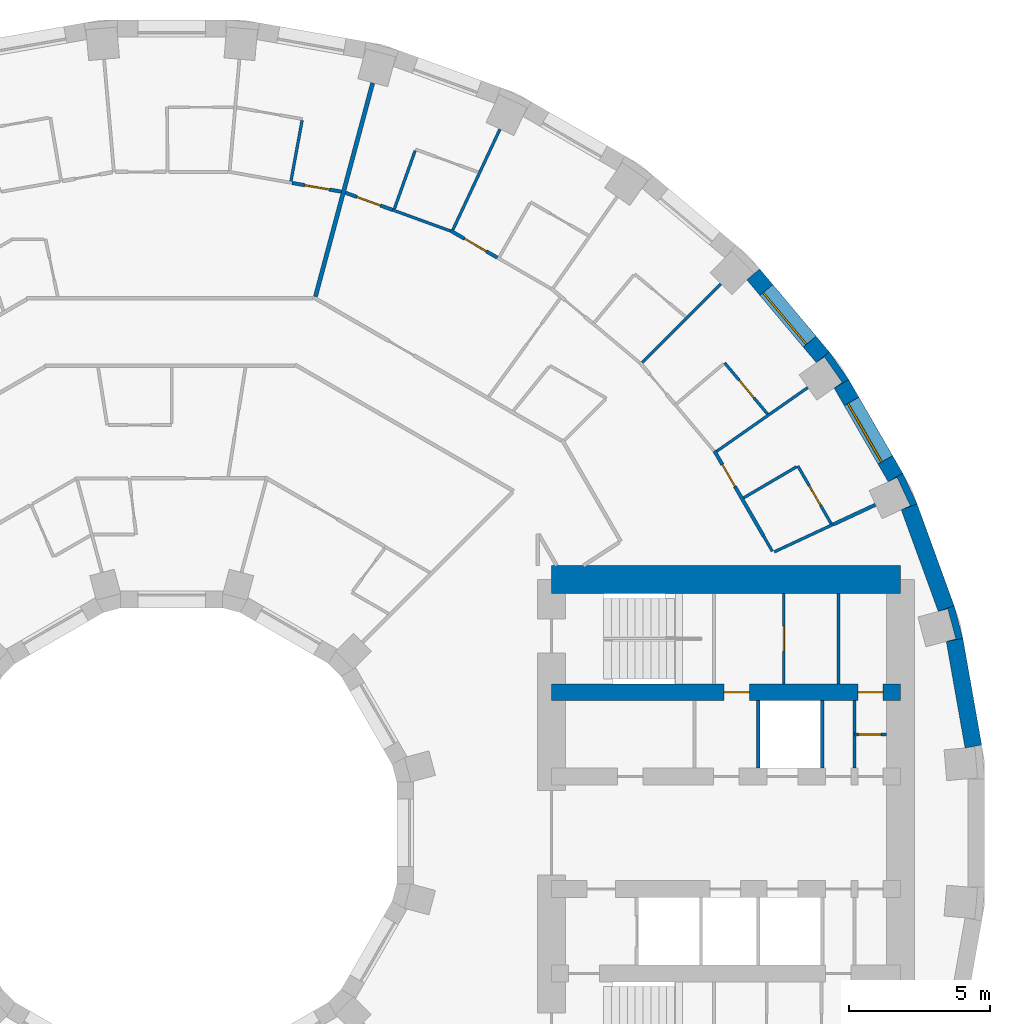
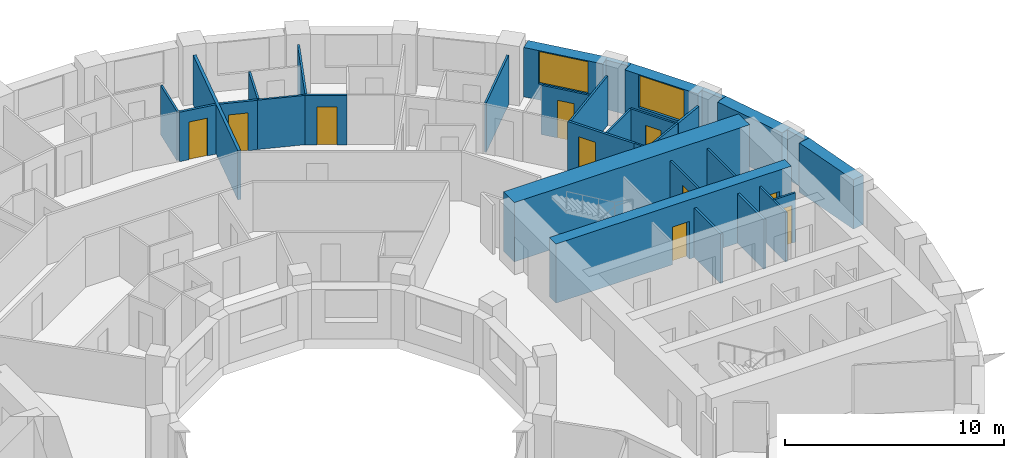
# One storey, part 14 of 16: 32 walls, 10 doors, 2 windows, 12 openings.
"""IFC4 building model written with IfcOpenShell, lengths in metres."""

from ifc_helpers import new_model, si_unit, direction, frame, frame_2d, origin, place, context, subcontext, project, spatial, polyline, rectangle, outline, extrude, material, layer, layer_set, type_object, element, fill, save


model = new_model("IFC4")

# Units and contexts
model_context = context("Model", 3, precision=1e-05, world=origin(), true_north=direction((0.0, 1.0)))
body_context = subcontext(model_context, "Body", "Model", "MODEL_VIEW")
ifc_project = project(units=[si_unit("LENGTHUNIT", "METRE"), si_unit("AREAUNIT", "SQUARE_METRE"), si_unit("VOLUMEUNIT", "CUBIC_METRE"), si_unit("PLANEANGLEUNIT", "RADIAN"), si_unit("MASSUNIT", "GRAM", prefix="KILO")], contexts=[model_context])

# Site, building, storey
site_placement = place(None, origin())
site = spatial("IfcSite", under=ifc_project, at=site_placement, CompositionType="ELEMENT")
building_placement = place(site_placement, origin())
building = spatial("IfcBuilding", under=site, at=building_placement, Name="Saqina Gate Tower", CompositionType="ELEMENT")
storey_placement = place(building_placement, frame((0.0, 0.0, 32.89990234375)))
storey = spatial("IfcBuildingStorey", under=building, at=storey_placement, Name="L08", CompositionType="ELEMENT", Elevation=32.89990234375)

# Walls
ifc_material_1 = material(Name="Brick masonry (red)", Category="masonry")
wall_type_1 = type_object("IfcWallType", Name="BRICK PIER COPING RED", PredefinedType="SOLIDWALL", material=ifc_material_1)
wall_1_placement = place(storey_placement, origin())
element("IfcWall", 1, at=wall_1_placement, inside=storey, type_object=wall_type_1, Name="Pier cap L08 column 2", PredefinedType="SOLIDWALL", context=body_context, shape_type="SweptSolid", body=[
    extrude(outline(polyline([(28.11669921875, 6.910400390625), (27.80517578125, 8.073974609375), (27.2412109375, 7.86865234375), (27.57958984375, 7.95947265625), (27.864501953125, 6.896728515625), (27.52587890625, 6.80615234375), (28.11669921875, 6.910400390625)])), origin(), (0.0, 0.0, 1.0), 2.75),
])
wall_2_placement = place(storey_placement, origin())
element("IfcWall", 2, at=wall_2_placement, inside=storey, type_object=wall_type_1, Name="Pier cap L08 column 3", PredefinedType="SOLIDWALL", context=body_context, shape_type="SweptSolid", body=[
    extrude(outline(polyline([(25.980712890625, 12.779541015625), (25.4609375, 12.4794921875), (25.778564453125, 12.627685546875), (26.243408203125, 11.630615234375), (25.92578125, 11.482666015625), (26.48974609375, 11.687744140625), (25.980712890625, 12.779541015625)])), origin(), (0.0, 0.0, 1.0), 2.75),
])
wall_3_placement = place(storey_placement, origin())
element("IfcWall", 3, at=wall_3_placement, inside=storey, type_object=wall_type_1, Name="Pier cap L08 column 4", PredefinedType="SOLIDWALL", context=body_context, shape_type="SweptSolid", body=[
    extrude(outline(polyline([(24.0576171875, 16.110107421875), (23.36669921875, 17.096923828125), (22.9072265625, 16.711181640625), (23.194091796875, 16.912109375), (23.8251953125, 16.010986328125), (23.5380859375, 15.81005859375), (24.0576171875, 16.110107421875)])), origin(), (0.0, 0.0, 1.0), 2.75),
])
ifc_material_2 = material(Name="Gypsum board on steel studs", Category="steel")
ifc_layer_1 = layer(ifc_material_2, 0.10009765625)
ifc_layer_set_1 = layer_set([ifc_layer_1], Name="CORE PARTITION")
wall_type_2 = type_object("IfcWallType", Name="CORE PARTITION", PredefinedType="PARTITIONING", material=ifc_layer_set_1)
wall_4_placement = place(storey_placement, frame((24.260009765625, 2.300048828125, 0.0), z_axis=(0.0, 0.0, 1.0), x_axis=(0.0, 1.0, 0.0)))
element("IfcWall", 4, at=wall_4_placement, inside=storey, type_object=wall_type_2, Name="L08-CP-E04", PredefinedType="PARTITIONING", context=body_context, shape_type="SweptSolid", body=[
    extrude(rectangle(XDim=2.39990234375, YDim=0.10009765625, at=frame_2d((1.199951171875, 0.0))), origin(), (0.0, 0.0, 1.0), 2.75),
])

# Wall, opening, door
wall_5_placement = place(storey_placement, frame((24.260009765625, 3.5, 0.0), z_axis=(0.0, 0.0, 1.0), x_axis=(1.0, 0.0, 0.0)))
wall_5 = element("IfcWall", 5, at=wall_5_placement, inside=storey, type_object=wall_type_2, Name="L08-CP-E10", PredefinedType="PARTITIONING", context=body_context, shape_type="SweptSolid", body=[
    extrude(rectangle(XDim=1.139892578125, YDim=0.10009765625, at=frame_2d((0.56982421875, 0.0))), origin(), (0.0, 0.0, 1.0), 2.75),
])
opening_1_placement = place(wall_5_placement, frame((0.14990234375, 0.0, 0.0)))
opening_1 = element("IfcOpeningElement", 6, at=opening_1_placement, cuts=wall_5, Name="Opening G01-D97", PredefinedType="OPENING", context=body_context, shape_type="SweptSolid", body=[
    extrude(rectangle(XDim=0.800048828125, YDim=2.10009765625, at=frame_2d((0.39990234375, 1.050048828125))), frame((0.0, 0.06201171875, 0.0), z_axis=(0.0, -1.0, 0.0), x_axis=(1.0, 0.0, 0.0)), (0.0, 0.0, 1.0), 0.1240234375),
])
ifc_material_3 = material(Name="Steel-framed fire door leaf, EI 60", Category="steel")
door_type_1 = type_object("IfcDoorType", Name="SERVICE ROOM DOOR 800", OperationType="SINGLE_SWING_LEFT", PredefinedType="DOOR", material=ifc_material_3)
door_1_placement = place(opening_1_placement, origin())
door_1 = element("IfcDoor", 7, at=door_1_placement, inside=storey, type_object=door_type_1, Name="L08-CD-E08", OperationType="SINGLE_SWING_RIGHT", OverallHeight=2.10009765625, OverallWidth=0.800048828125, PredefinedType="DOOR", context=body_context, shape_type="SweptSolid", body=[
    extrude(rectangle(XDim=0.800048828125, YDim=2.10009765625, at=frame_2d((0.39990234375, 1.050048828125))), frame((0.0, 0.02490234375, 0.0), z_axis=(0.0, -1.0, 0.0), x_axis=(1.0, 0.0, 0.0)), (0.0, 0.0, 1.0), 0.050048828125),
])
fill(opening_1, door_1)

wall_6_placement = place(storey_placement, frame((21.751953125, 5.300048828125, 0.0), z_axis=(0.0, 0.0, 1.0), x_axis=(0.0, 1.0, 0.0)))
wall_6 = element("IfcWall", 8, at=wall_6_placement, inside=storey, type_object=wall_type_2, Name="L08-CP-E12", PredefinedType="PARTITIONING", context=body_context, shape_type="SweptSolid", body=[
    extrude(rectangle(XDim=3.199951171875, YDim=0.10009765625, at=frame_2d((1.60009765625, 0.0))), origin(), (0.0, 0.0, 1.0), 2.75),
])
opening_2_placement = place(wall_6_placement, frame((1.14990234375, 0.0, 0.0)))
opening_2 = element("IfcOpeningElement", 9, at=opening_2_placement, cuts=wall_6, Name="Opening G01-D126", PredefinedType="OPENING", context=body_context, shape_type="SweptSolid", body=[
    extrude(rectangle(XDim=0.89990234375, YDim=2.10009765625, at=frame_2d((0.449951171875, 1.050048828125))), frame((0.0, 0.06201171875, 0.0), z_axis=(0.0, -1.0, 0.0), x_axis=(1.0, 0.0, 0.0)), (0.0, 0.0, 1.0), 0.1240234375),
])
ifc_material_4 = material(Name="Steel-framed fire door leaf, EI 60", Category="steel")
door_type_2 = type_object("IfcDoorType", Name="SERVICE ROOM DOOR 900", OperationType="SINGLE_SWING_LEFT", PredefinedType="DOOR", material=ifc_material_4)
door_2_placement = place(opening_2_placement, origin())
door_2 = element("IfcDoor", 10, at=door_2_placement, inside=storey, type_object=door_type_2, Name="L08-CD-E09", OperationType="SINGLE_SWING_LEFT", OverallHeight=2.10009765625, OverallWidth=0.89990234375, PredefinedType="DOOR", context=body_context, shape_type="SweptSolid", body=[
    extrude(rectangle(XDim=0.89990234375, YDim=2.10009765625, at=frame_2d((0.449951171875, 1.050048828125))), frame((0.0, 0.02490234375, 0.0), z_axis=(0.0, -1.0, 0.0), x_axis=(1.0, 0.0, 0.0)), (0.0, 0.0, 1.0), 0.050048828125),
])
fill(opening_2, door_2)

# Wall
wall_7_placement = place(storey_placement, frame((23.697509765625, 5.300048828125, 0.0), z_axis=(0.0, 0.0, 1.0), x_axis=(0.0, 1.0, 0.0)))
element("IfcWall", 11, at=wall_7_placement, inside=storey, type_object=wall_type_2, Name="L08-CP-E13", PredefinedType="PARTITIONING", context=body_context, shape_type="SweptSolid", body=[
    extrude(rectangle(XDim=3.199951171875, YDim=0.10009765625, at=frame_2d((1.60009765625, 0.0))), origin(), (0.0, 0.0, 1.0), 2.75),
])

# Wall, opening, window
ifc_material_5 = material(Name="Brick masonry (red)", Category="masonry")
ifc_layer_2 = layer(ifc_material_5, 0.60009765625)
ifc_layer_set_2 = layer_set([ifc_layer_2], Name="FW-BRICK-RED")
wall_type_3 = type_object("IfcWallType", Name="FW-BRICK-RED", PredefinedType="SOLIDWALL", material=ifc_layer_set_2)
wall_8_placement = place(storey_placement, frame((25.720703125, 12.629638671875, 0.0), z_axis=(0.0, 0.0, 1.0), x_axis=(-0.499989888488, 0.86603124159, 0.0)))
wall_8 = element("IfcWall", 12, at=wall_8_placement, inside=storey, type_object=wall_type_3, Name="Facade wall L08 facet 3", PredefinedType="SOLIDWALL", context=body_context, shape_type="SweptSolid", body=[
    extrude(rectangle(XDim=3.845703125, YDim=0.60009765625, at=frame_2d((1.9228515625, 0.0))), origin(), (0.0, 0.0, 1.0), 2.75),
])
opening_3_placement = place(wall_8_placement, frame((0.722900390625, 0.0, 0.89990234375)))
opening_3 = element("IfcOpeningElement", 13, at=opening_3_placement, cuts=wall_8, Name="Opening G01-W01", PredefinedType="OPENING", context=body_context, shape_type="SweptSolid", body=[
    extrude(rectangle(XDim=2.39990234375, YDim=1.800048828125, at=frame_2d((1.199951171875, 0.89990234375))), frame((0.0, 0.31201171875, 0.0), z_axis=(0.0, -1.0, 0.0), x_axis=(1.0, 0.0, 0.0)), (0.0, 0.0, 1.0), 0.6240234375),
])
ifc_material_6 = material(Name="Aluminium glazing", Category="aluminium")
window_type = type_object("IfcWindowType", Name="WN-A", PartitioningType="SINGLE_PANEL", PredefinedType="WINDOW", material=ifc_material_6)
window_1_placement = place(opening_3_placement, origin())
window_1 = element("IfcWindow", 14, at=window_1_placement, inside=storey, type_object=window_type, Name="Window L08 facet 3", OverallHeight=1.800048828125, OverallWidth=2.39990234375, PartitioningType="SINGLE_PANEL", PredefinedType="WINDOW", context=body_context, shape_type="SweptSolid", body=[
    extrude(rectangle(XDim=2.39990234375, YDim=1.800048828125, at=frame_2d((1.199951171875, 0.89990234375))), frame((0.0, 0.179931640625, 0.0), z_axis=(0.0, -1.0, 0.0), x_axis=(1.0, 0.0, 0.0)), (0.0, 0.0, 1.0), 0.06005859375),
])
fill(opening_3, window_1)

wall_9_placement = place(storey_placement, frame((23.136962890625, 16.904052734375, 0.0), z_axis=(0.0, 0.0, 1.0), x_axis=(-0.642809392687, 0.766026164483, 0.0)))
wall_9 = element("IfcWall", 15, at=wall_9_placement, inside=storey, type_object=wall_type_3, Name="Facade wall L08 facet 4", PredefinedType="SOLIDWALL", context=body_context, shape_type="SweptSolid", body=[
    extrude(rectangle(XDim=3.845947265625, YDim=0.60009765625, at=frame_2d((1.9228515625, 0.0))), origin(), (0.0, 0.0, 1.0), 2.75),
])
opening_4_placement = place(wall_9_placement, frame((0.722900390625, 0.0, 0.89990234375)))
opening_4 = element("IfcOpeningElement", 16, at=opening_4_placement, cuts=wall_9, Name="Opening G01-W02", PredefinedType="OPENING", context=body_context, shape_type="SweptSolid", body=[
    extrude(rectangle(XDim=2.39990234375, YDim=1.800048828125, at=frame_2d((1.199951171875, 0.89990234375))), frame((0.0, 0.31201171875, 0.0), z_axis=(0.0, -1.0, 0.0), x_axis=(1.0, 0.0, 0.0)), (0.0, 0.0, 1.0), 0.6240234375),
])
window_2_placement = place(opening_4_placement, origin())
window_2 = element("IfcWindow", 17, at=window_2_placement, inside=storey, type_object=window_type, Name="Window L08 facet 4", OverallHeight=1.800048828125, OverallWidth=2.39990234375, PartitioningType="SINGLE_PANEL", PredefinedType="WINDOW", context=body_context, shape_type="SweptSolid", body=[
    extrude(rectangle(XDim=2.39990234375, YDim=1.800048828125, at=frame_2d((1.199951171875, 0.89990234375))), frame((0.0, 0.179931640625, 0.0), z_axis=(0.0, -1.0, 0.0), x_axis=(1.0, 0.0, 0.0)), (0.0, 0.0, 1.0), 0.06005859375),
])
fill(opening_4, window_2)

# Walls
ifc_material_7 = material(Name="Glazed ceramic tile", Category="ceramic")
ifc_layer_3 = layer(ifc_material_7, 0.60009765625)
ifc_layer_set_3 = layer_set([ifc_layer_3], Name="FW-TILE")
wall_type_4 = type_object("IfcWallType", Name="FW-TILE", PredefinedType="SOLIDWALL", material=ifc_layer_set_3)
wall_10_placement = place(storey_placement, frame((28.4892578125, 3.07080078125, 0.0), z_axis=(0.0, 0.0, 1.0), x_axis=(-0.173687553279, 0.984800809218, 0.0)))
element("IfcWall", 18, at=wall_10_placement, inside=storey, type_object=wall_type_4, Name="Facade wall L08 facet 1", PredefinedType="SOLIDWALL", context=body_context, shape_type="SweptSolid", body=[
    extrude(rectangle(XDim=3.845703125, YDim=0.60009765625, at=frame_2d((1.9228515625, 0.0))), origin(), (0.0, 0.0, 1.0), 2.75),
])
ifc_material_8 = material(Name="Glazed ceramic tile (dark blue)", Category="ceramic")
ifc_layer_4 = layer(ifc_material_8, 0.60009765625)
ifc_layer_set_4 = layer_set([ifc_layer_4], Name="FW-TILE-CB")
wall_type_5 = type_object("IfcWallType", Name="FW-TILE-CB", PredefinedType="SOLIDWALL", material=ifc_layer_set_4)
wall_11_placement = place(storey_placement, frame((27.523193359375, 7.97119140625, 0.0), z_axis=(0.0, 0.0, 1.0), x_axis=(-0.342028474173, 0.939689588564, 0.0)))
element("IfcWall", 19, at=wall_11_placement, inside=storey, type_object=wall_type_5, Name="Facade wall L08 facet 2", PredefinedType="SOLIDWALL", context=body_context, shape_type="SweptSolid", body=[
    extrude(rectangle(XDim=3.845947265625, YDim=0.60009765625, at=frame_2d((1.9228515625, 0.0))), origin(), (0.0, 0.0, 1.0), 2.75),
])
ifc_material_9 = material(Name="Gypsum board on steel studs, 100 mm", Category="steel")
ifc_layer_5 = layer(ifc_material_9, 0.10009765625)
ifc_layer_set_5 = layer_set([ifc_layer_5], Name="PARTITION 100")
wall_type_6 = type_object("IfcWallType", Name="PARTITION 100", PredefinedType="PARTITIONING", material=ifc_layer_set_5)
wall_12_placement = place(storey_placement, frame((21.029296875, 10.555419921875, 0.0), z_axis=(0.0, 0.0, 1.0), x_axis=(0.49975591337, -0.86616628141, 0.0)))
element("IfcWall", 20, at=wall_12_placement, inside=storey, type_object=wall_type_6, Name="PARTITION PW3-24", PredefinedType="PARTITIONING", context=body_context, shape_type="SweptSolid", body=[
    extrude(rectangle(XDim=0.631591796875, YDim=0.10009765625, at=frame_2d((0.31591796875, 0.0))), origin(), (0.0, 0.0, 1.0), 2.75),
])

# Wall, opening, door
wall_13_placement = place(storey_placement, frame((22.251953125, 13.0380859375, 0.0), z_axis=(0.0, 0.0, 1.0), x_axis=(0.500073288705, -0.865983086396, 0.0)))
wall_13 = element("IfcWall", 21, at=wall_13_placement, inside=storey, type_object=wall_type_6, Name="PARTITION PW3-25", PredefinedType="PARTITIONING", context=body_context, shape_type="SweptSolid", body=[
    extrude(rectangle(XDim=2.369384765625, YDim=0.10009765625, at=frame_2d((1.1845703125, 0.0))), origin(), (0.0, 0.0, 1.0), 2.75),
])
opening_5_placement = place(wall_13_placement, frame((0.810791015625, 0.0, 0.0)))
opening_5 = element("IfcOpeningElement", 22, at=opening_5_placement, cuts=wall_13, Name="Opening G01-D01", PredefinedType="OPENING", context=body_context, shape_type="SweptSolid", body=[
    extrude(rectangle(XDim=0.800048828125, YDim=2.10009765625, at=frame_2d((0.39990234375, 1.050048828125))), frame((0.0, 0.06201171875, 0.0), z_axis=(0.0, -1.0, 0.0), x_axis=(1.0, 0.0, 0.0)), (0.0, 0.0, 1.0), 0.1240234375),
])
ifc_material_10 = material(Name="Timber door leaf, 800 mm", Category="wood")
door_type_3 = type_object("IfcDoorType", Name="DOOR 800 TIMBER", OperationType="SINGLE_SWING_LEFT", PredefinedType="DOOR", material=ifc_material_10)
door_3_placement = place(opening_5_placement, origin())
door_3 = element("IfcDoor", 23, at=door_3_placement, inside=storey, type_object=door_type_3, Name="DOOR G01-D01", OperationType="SINGLE_SWING_RIGHT", OverallHeight=2.10009765625, OverallWidth=0.800048828125, PredefinedType="DOOR", context=body_context, shape_type="SweptSolid", body=[
    extrude(rectangle(XDim=0.800048828125, YDim=2.10009765625, at=frame_2d((0.39990234375, 1.050048828125))), frame((0.0, 0.02490234375, 0.0), z_axis=(0.0, -1.0, 0.0), x_axis=(1.0, 0.0, 0.0)), (0.0, 0.0, 1.0), 0.050048828125),
])
fill(opening_5, door_3)

wall_14_placement = place(storey_placement, frame((19.64990234375, 16.7041015625, 0.0), z_axis=(0.0, 0.0, 1.0), x_axis=(0.642631758034, -0.766175191171, 0.0)))
wall_14 = element("IfcWall", 24, at=wall_14_placement, inside=storey, type_object=wall_type_6, Name="PARTITION PW3-30", PredefinedType="PARTITIONING", context=body_context, shape_type="SweptSolid", body=[
    extrude(rectangle(XDim=2.371337890625, YDim=0.10009765625, at=frame_2d((1.185546875, 0.0))), origin(), (0.0, 0.0, 1.0), 2.75),
])
opening_6_placement = place(wall_14_placement, frame((0.810546875, 0.0, 0.0)))
opening_6 = element("IfcOpeningElement", 25, at=opening_6_placement, cuts=wall_14, Name="Opening G01-D03", PredefinedType="OPENING", context=body_context, shape_type="SweptSolid", body=[
    extrude(rectangle(XDim=0.800048828125, YDim=2.10009765625, at=frame_2d((0.39990234375, 1.050048828125))), frame((0.0, 0.06201171875, 0.0), z_axis=(0.0, -1.0, 0.0), x_axis=(1.0, 0.0, 0.0)), (0.0, 0.0, 1.0), 0.1240234375),
])
door_4_placement = place(opening_6_placement, origin())
door_4 = element("IfcDoor", 26, at=door_4_placement, inside=storey, type_object=door_type_3, Name="DOOR G01-D03", OperationType="SINGLE_SWING_RIGHT", OverallHeight=2.10009765625, OverallWidth=0.800048828125, PredefinedType="DOOR", context=body_context, shape_type="SweptSolid", body=[
    extrude(rectangle(XDim=0.800048828125, YDim=2.10009765625, at=frame_2d((0.39990234375, 1.050048828125))), frame((0.0, 0.02490234375, 0.0), z_axis=(0.0, -1.0, 0.0), x_axis=(1.0, 0.0, 0.0)), (0.0, 0.0, 1.0), 0.050048828125),
])
fill(opening_6, door_4)

# Walls
wall_15_placement = place(storey_placement, frame((7.845947265625, 22.14111328125, 0.0), z_axis=(0.0, 0.0, 1.0), x_axis=(0.939712116987, -0.341966573204, 0.0)))
element("IfcWall", 27, at=wall_15_placement, inside=storey, type_object=wall_type_6, Name="PARTITION PW3-49", PredefinedType="PARTITIONING", context=body_context, shape_type="SweptSolid", body=[
    extrude(rectangle(XDim=2.1923828125, YDim=0.10009765625, at=frame_2d((1.09619140625, 0.0))), origin(), (0.0, 0.0, 1.0), 2.75),
])
wall_16_placement = place(storey_placement, frame((21.414306640625, 9.988037109375, 0.0), z_axis=(0.0, 0.0, 1.0), x_axis=(0.906293839501, 0.42264817104, 0.0)))
element("IfcWall", 28, at=wall_16_placement, inside=storey, type_object=wall_type_6, Name="PARTITION PW3-74", PredefinedType="PARTITIONING", context=body_context, shape_type="SweptSolid", body=[
    extrude(rectangle(XDim=2.309326171875, YDim=0.10009765625, at=frame_2d((1.15478515625, 0.0))), origin(), (0.0, 0.0, 1.0), 2.75),
])
wall_17_placement = place(storey_placement, frame((20.322021484375, 11.906494140625, 0.0), z_axis=(0.0, 0.0, 1.0), x_axis=(0.862687894762, 0.505736686657, 0.0)))
element("IfcWall", 29, at=wall_17_placement, inside=storey, type_object=wall_type_6, Name="PARTITION PW3-83", PredefinedType="PARTITIONING", context=body_context, shape_type="SweptSolid", body=[
    extrude(rectangle(XDim=2.187255859375, YDim=0.10009765625, at=frame_2d((1.09375, 0.0))), origin(), (0.0, 0.0, 1.0), 2.75),
])
wall_18_placement = place(storey_placement, frame((19.3662109375, 13.560791015625, 0.0), z_axis=(0.0, 0.0, 1.0), x_axis=(0.819199961449, 0.57350799747, 0.0)))
element("IfcWall", 30, at=wall_18_placement, inside=storey, type_object=wall_type_6, Name="PARTITION PW3-85", PredefinedType="PARTITIONING", context=body_context, shape_type="SweptSolid", body=[
    extrude(rectangle(XDim=3.947998046875, YDim=0.10009765625, at=frame_2d((1.97412109375, 0.0))), origin(), (0.0, 0.0, 1.0), 2.75),
])
wall_19_placement = place(storey_placement, frame((16.71728515625, 16.71728515625, 0.0), z_axis=(0.0, 0.0, 1.0), x_axis=(0.707106781187, 0.707106781187, 0.0)))
element("IfcWall", 31, at=wall_19_placement, inside=storey, type_object=wall_type_6, Name="PARTITION PW3-91", PredefinedType="PARTITIONING", context=body_context, shape_type="SweptSolid", body=[
    extrude(rectangle(XDim=3.9482421875, YDim=0.10009765625, at=frame_2d((1.97412109375, 0.0))), origin(), (0.0, 0.0, 1.0), 2.75),
])
wall_20_placement = place(storey_placement, frame((9.98388671875, 21.416259765625, 0.0), z_axis=(0.0, 0.0, 1.0), x_axis=(0.423587219874, 0.905855323525, 0.0)))
element("IfcWall", 32, at=wall_20_placement, inside=storey, type_object=wall_type_6, Name="PARTITION PW3-105", PredefinedType="PARTITIONING", context=body_context, shape_type="SweptSolid", body=[
    extrude(rectangle(XDim=3.960693359375, YDim=0.10009765625, at=frame_2d((1.98046875, 0.0))), origin(), (0.0, 0.0, 1.0), 2.75),
])
wall_21_placement = place(storey_placement, frame((7.9140625, 22.182861328125, 0.0), z_axis=(0.0, 0.0, 1.0), x_axis=(0.335940567571, 0.941883185464, 0.0)))
element("IfcWall", 33, at=wall_21_placement, inside=storey, type_object=wall_type_6, Name="PARTITION PW3-107", PredefinedType="PARTITIONING", context=body_context, shape_type="SweptSolid", body=[
    extrude(rectangle(XDim=2.188232421875, YDim=0.10009765625, at=frame_2d((1.09423828125, 0.0))), origin(), (0.0, 0.0, 1.0), 2.75),
])
wall_22_placement = place(storey_placement, frame((4.236083984375, 23.15625, 0.0), z_axis=(0.0, 0.0, 1.0), x_axis=(0.180037913286, 0.983659671726, 0.0)))
element("IfcWall", 34, at=wall_22_placement, inside=storey, type_object=wall_type_6, Name="PARTITION PW3-113", PredefinedType="PARTITIONING", context=body_context, shape_type="SweptSolid", body=[
    extrude(rectangle(XDim=2.199462890625, YDim=0.10009765625, at=frame_2d((1.099609375, 0.0))), origin(), (0.0, 0.0, 1.0), 2.75),
])

# Wall, opening, door
ifc_material_11 = material(Name="Gypsum board on steel studs, 125 mm, fire rated", Category="steel")
ifc_layer_6 = layer(ifc_material_11, 0.125)
ifc_layer_set_6 = layer_set([ifc_layer_6], Name="PARTITION EI 30 125")
wall_type_7 = type_object("IfcWallType", Name="PARTITION EI 30 125", PredefinedType="PARTITIONING", material=ifc_layer_set_6)
wall_23_placement = place(storey_placement, frame((19.283203125, 13.579833984375, 0.0), z_axis=(0.0, 0.0, 1.0), x_axis=(0.500206547268, -0.865906120818, 0.0)))
wall_23 = element("IfcWall", 35, at=wall_23_placement, inside=storey, type_object=wall_type_7, Name="PARTITION PW1-06", PredefinedType="PARTITIONING", context=body_context, shape_type="SweptSolid", body=[
    extrude(rectangle(XDim=3.4921875, YDim=0.125, at=frame_2d((1.74609375, 0.0))), origin(), (0.0, 0.0, 1.0), 2.75),
])
opening_7_placement = place(wall_23_placement, frame((0.566162109375, 0.0, 0.0)))
opening_7 = element("IfcOpeningElement", 36, at=opening_7_placement, cuts=wall_23, Name="Opening G01-D02", PredefinedType="OPENING", context=body_context, shape_type="SweptSolid", body=[
    extrude(rectangle(XDim=0.89990234375, YDim=2.10009765625, at=frame_2d((0.449951171875, 1.050048828125))), frame((0.0, 0.074462890625, 0.0), z_axis=(0.0, -1.0, 0.0), x_axis=(1.0, 0.0, 0.0)), (0.0, 0.0, 1.0), 0.14892578125),
])
ifc_material_12 = material(Name="Fire door leaf EI 30, 900 mm")
door_type_4 = type_object("IfcDoorType", Name="DOOR 900 EI 30", OperationType="SINGLE_SWING_LEFT", PredefinedType="DOOR", material=ifc_material_12)
door_5_placement = place(opening_7_placement, frame((0.89990234375, 0.0, 0.0), z_axis=(0.0, 0.0, 1.0), x_axis=(-1.0, 0.0, 0.0)))
door_5 = element("IfcDoor", 37, at=door_5_placement, inside=storey, type_object=door_type_4, Name="DOOR G01-D02", OperationType="SINGLE_SWING_RIGHT", OverallHeight=2.10009765625, OverallWidth=0.89990234375, PredefinedType="DOOR", context=body_context, shape_type="SweptSolid", body=[
    extrude(rectangle(XDim=0.89990234375, YDim=2.10009765625, at=frame_2d((0.449951171875, 1.050048828125))), frame((0.0, 0.02490234375, 0.0), z_axis=(0.0, -1.0, 0.0), x_axis=(1.0, 0.0, 0.0)), (0.0, 0.0, 1.0), 0.050048828125),
])
fill(opening_7, door_5)

wall_24_placement = place(storey_placement, frame((9.909912109375, 21.401611328125, 0.0), z_axis=(0.0, 0.0, 1.0), x_axis=(0.866191941426, -0.499711437341, 0.0)))
wall_24 = element("IfcWall", 38, at=wall_24_placement, inside=storey, type_object=wall_type_7, Name="PARTITION PW1-20", PredefinedType="PARTITIONING", context=body_context, shape_type="SweptSolid", body=[
    extrude(rectangle(XDim=1.918701171875, YDim=0.125, at=frame_2d((0.95947265625, 0.0))), origin(), (0.0, 0.0, 1.0), 2.75),
])
opening_8_placement = place(wall_24_placement, frame((0.56591796875, 0.0, 0.0)))
opening_8 = element("IfcOpeningElement", 39, at=opening_8_placement, cuts=wall_24, Name="Opening G01-D11", PredefinedType="OPENING", context=body_context, shape_type="SweptSolid", body=[
    extrude(rectangle(XDim=0.89990234375, YDim=2.10009765625, at=frame_2d((0.449951171875, 1.050048828125))), frame((0.0, 0.074462890625, 0.0), z_axis=(0.0, -1.0, 0.0), x_axis=(1.0, 0.0, 0.0)), (0.0, 0.0, 1.0), 0.14892578125),
])
door_6_placement = place(opening_8_placement, frame((0.89990234375, 0.0, 0.0), z_axis=(0.0, 0.0, 1.0), x_axis=(-1.0, 0.0, 0.0)))
door_6 = element("IfcDoor", 40, at=door_6_placement, inside=storey, type_object=door_type_4, Name="DOOR G01-D11", OperationType="SINGLE_SWING_RIGHT", OverallHeight=2.10009765625, OverallWidth=0.89990234375, PredefinedType="DOOR", context=body_context, shape_type="SweptSolid", body=[
    extrude(rectangle(XDim=0.89990234375, YDim=2.10009765625, at=frame_2d((0.449951171875, 1.050048828125))), frame((0.0, 0.02490234375, 0.0), z_axis=(0.0, -1.0, 0.0), x_axis=(1.0, 0.0, 0.0)), (0.0, 0.0, 1.0), 0.050048828125),
])
fill(opening_8, door_6)

wall_25_placement = place(storey_placement, frame((6.173583984375, 22.750244140625, 0.0), z_axis=(0.0, 0.0, 1.0), x_axis=(0.939613069721, -0.342238629044, 0.0)))
wall_25 = element("IfcWall", 41, at=wall_25_placement, inside=storey, type_object=wall_type_7, Name="PARTITION PW1-22", PredefinedType="PARTITIONING", context=body_context, shape_type="SweptSolid", body=[
    extrude(rectangle(XDim=1.77978515625, YDim=0.125, at=frame_2d((0.889892578125, 0.0))), origin(), (0.0, 0.0, 1.0), 2.75),
])
opening_9_placement = place(wall_25_placement, frame((0.427490234375, 0.0, 0.0)))
opening_9 = element("IfcOpeningElement", 42, at=opening_9_placement, cuts=wall_25, Name="Opening G01-D15", PredefinedType="OPENING", context=body_context, shape_type="SweptSolid", body=[
    extrude(rectangle(XDim=0.89990234375, YDim=2.10009765625, at=frame_2d((0.449951171875, 1.050048828125))), frame((0.0, 0.074462890625, 0.0), z_axis=(0.0, -1.0, 0.0), x_axis=(1.0, 0.0, 0.0)), (0.0, 0.0, 1.0), 0.14892578125),
])
door_7_placement = place(opening_9_placement, frame((0.89990234375, 0.0, 0.0), z_axis=(0.0, 0.0, 1.0), x_axis=(-1.0, 0.0, 0.0)))
door_7 = element("IfcDoor", 43, at=door_7_placement, inside=storey, type_object=door_type_4, Name="DOOR G01-D15", OperationType="SINGLE_SWING_RIGHT", OverallHeight=2.10009765625, OverallWidth=0.89990234375, PredefinedType="DOOR", context=body_context, shape_type="SweptSolid", body=[
    extrude(rectangle(XDim=0.89990234375, YDim=2.10009765625, at=frame_2d((0.449951171875, 1.050048828125))), frame((0.0, 0.02490234375, 0.0), z_axis=(0.0, -1.0, 0.0), x_axis=(1.0, 0.0, 0.0)), (0.0, 0.0, 1.0), 0.050048828125),
])
fill(opening_9, door_7)

wall_26_placement = place(storey_placement, frame((4.276123046875, 23.098388671875, 0.0), z_axis=(0.0, 0.0, 1.0), x_axis=(0.984784939559, -0.173777509529, 0.0)))
wall_26 = element("IfcWall", 44, at=wall_26_placement, inside=storey, type_object=wall_type_7, Name="PARTITION PW1-24", PredefinedType="PARTITIONING", context=body_context, shape_type="SweptSolid", body=[
    extrude(rectangle(XDim=1.780029296875, YDim=0.125, at=frame_2d((0.89013671875, 0.0))), origin(), (0.0, 0.0, 1.0), 2.75),
])
opening_10_placement = place(wall_26_placement, frame((0.452392578125, 0.0, 0.0)))
opening_10 = element("IfcOpeningElement", 45, at=opening_10_placement, cuts=wall_26, Name="Opening G01-D16", PredefinedType="OPENING", context=body_context, shape_type="SweptSolid", body=[
    extrude(rectangle(XDim=0.89990234375, YDim=2.10009765625, at=frame_2d((0.449951171875, 1.050048828125))), frame((0.0, 0.074462890625, 0.0), z_axis=(0.0, -1.0, 0.0), x_axis=(1.0, 0.0, 0.0)), (0.0, 0.0, 1.0), 0.14892578125),
])
door_8_placement = place(opening_10_placement, frame((0.89990234375, 0.0, 0.0), z_axis=(0.0, 0.0, 1.0), x_axis=(-1.0, 0.0, 0.0)))
door_8 = element("IfcDoor", 46, at=door_8_placement, inside=storey, type_object=door_type_4, Name="DOOR G01-D16", OperationType="SINGLE_SWING_LEFT", OverallHeight=2.10009765625, OverallWidth=0.89990234375, PredefinedType="DOOR", context=body_context, shape_type="SweptSolid", body=[
    extrude(rectangle(XDim=0.89990234375, YDim=2.10009765625, at=frame_2d((0.449951171875, 1.050048828125))), frame((0.0, 0.02490234375, 0.0), z_axis=(0.0, -1.0, 0.0), x_axis=(1.0, 0.0, 0.0)), (0.0, 0.0, 1.0), 0.050048828125),
])
fill(opening_10, door_8)

# Walls
wall_27_placement = place(storey_placement, frame((23.50830078125, 10.962158203125, 0.0), z_axis=(0.0, 0.0, 1.0), x_axis=(0.906360566975, 0.422505056339, 0.0)))
element("IfcWall", 47, at=wall_27_placement, inside=storey, type_object=wall_type_7, Name="PARTITION PW1-36", PredefinedType="PARTITIONING", context=body_context, shape_type="SweptSolid", body=[
    extrude(rectangle(XDim=1.6513671875, YDim=0.125, at=frame_2d((0.82568359375, 0.0))), origin(), (0.0, 0.0, 1.0), 2.75),
])
ifc_material_13 = material(Name="Gypsum board on steel studs, 150 mm, fire rated", Category="steel")
ifc_layer_7 = layer(ifc_material_13, 0.14990234375)
ifc_layer_set_7 = layer_set([ifc_layer_7], Name="PARTITION EI 60 150")
wall_type_8 = type_object("IfcWallType", Name="PARTITION EI 60 150", PredefinedType="PARTITIONING", material=ifc_layer_set_7)
wall_28_placement = place(storey_placement, frame((5.107177734375, 19.060302734375, 0.0), z_axis=(0.0, 0.0, 1.0), x_axis=(0.258797692258, 0.965931547513, 0.0)))
element("IfcWall", 48, at=wall_28_placement, inside=storey, type_object=wall_type_8, Name="PARTITION PW2-04", PredefinedType="PARTITIONING", context=body_context, shape_type="SweptSolid", body=[
    extrude(rectangle(XDim=7.857177734375, YDim=0.14990234375, at=frame_2d((3.9287109375, 0.0))), origin(), (0.0, 0.0, 1.0), 2.75),
])
ifc_material_14 = material(Name="Autoclaved aerated concrete block", Category="concrete")
ifc_layer_8 = layer(ifc_material_14, 0.1201171875)
ifc_layer_set_8 = layer_set([ifc_layer_8], Name="SHAFT PARTITION")
wall_type_9 = type_object("IfcWallType", Name="SHAFT PARTITION", PredefinedType="PARTITIONING", material=ifc_layer_set_8)
for number, where, z_axis, x_axis, name in (
    (49, (20.840087890625, 2.300048828125, 0.0), (0.0, 0.0, 1.0), (0.0, 1.0, 0.0), "L08-CP-E02"),
    (50, (23.1201171875, 2.300048828125, 0.0), (0.0, 0.0, 1.0), (0.0, 1.0, 0.0), "L08-CP-E03"),
):
    element("IfcWall", number, at=place(storey_placement, frame(where, z_axis=z_axis, x_axis=x_axis)), inside=storey, type_object=wall_type_9, Name=name, PredefinedType="PARTITIONING", context=body_context, shape_type="SweptSolid", body=[
        extrude(rectangle(XDim=2.39990234375, YDim=0.1201171875, at=frame_2d((1.199951171875, 0.0))), origin(), (0.0, 0.0, 1.0), 2.75),
    ])

# Wall, openings, doors
ifc_material_15 = material(Name="Concrete C70/85", Category="concrete")
ifc_layer_9 = layer(ifc_material_15, 0.60009765625)
ifc_layer_set_9 = layer_set([ifc_layer_9], Name="Concrete C70/85")
wall_type_10 = type_object("IfcWallType", Name="STR-CORE WALL-A-I", PredefinedType="SHEAR", material=ifc_layer_set_9)
wall_29_placement = place(storey_placement, frame((13.5, 5.0, 0.0), z_axis=(0.0, 0.0, 1.0), x_axis=(1.0, 0.0, 0.0)))
wall_29 = element("IfcWall", 51, at=wall_29_placement, inside=storey, type_object=wall_type_10, Name="CORE WALL L08 E-X1", PredefinedType="SHEAR", context=body_context, shape_type="SweptSolid", body=[
    extrude(rectangle(XDim=12.39990234375, YDim=0.60009765625, at=frame_2d((6.199951171875, 0.0))), origin(), (0.0, 0.0, 1.0), 3.300048828125),
])
opening_11_placement = place(wall_29_placement, frame((6.1298828125, 0.0, 0.0)))
opening_11 = element("IfcOpeningElement", 52, at=opening_11_placement, cuts=wall_29, Name="Opening G01-D127", PredefinedType="OPENING", context=body_context, shape_type="SweptSolid", body=[
    extrude(rectangle(XDim=0.89990234375, YDim=2.10009765625, at=frame_2d((0.449951171875, 1.050048828125))), frame((0.0, 0.31201171875, 0.0), z_axis=(0.0, -1.0, 0.0), x_axis=(1.0, 0.0, 0.0)), (0.0, 0.0, 1.0), 0.6240234375),
])
opening_12_placement = place(wall_29_placement, frame((10.8798828125, 0.0, 0.0)))
opening_12 = element("IfcOpeningElement", 53, at=opening_12_placement, cuts=wall_29, Name="Opening G01-D100", PredefinedType="OPENING", context=body_context, shape_type="SweptSolid", body=[
    extrude(rectangle(XDim=0.89990234375, YDim=2.10009765625, at=frame_2d((0.449951171875, 1.050048828125))), frame((0.0, 0.31201171875, 0.0), z_axis=(0.0, -1.0, 0.0), x_axis=(1.0, 0.0, 0.0)), (0.0, 0.0, 1.0), 0.6240234375),
])
door_9_placement = place(opening_11_placement, origin())
door_9 = element("IfcDoor", 54, at=door_9_placement, inside=storey, type_object=door_type_2, Name="L08-CD-E10", OperationType="SINGLE_SWING_LEFT", OverallHeight=2.10009765625, OverallWidth=0.89990234375, PredefinedType="DOOR", context=body_context, shape_type="SweptSolid", body=[
    extrude(rectangle(XDim=0.89990234375, YDim=2.10009765625, at=frame_2d((0.449951171875, 1.050048828125))), frame((0.0, 0.02490234375, 0.0), z_axis=(0.0, -1.0, 0.0), x_axis=(1.0, 0.0, 0.0)), (0.0, 0.0, 1.0), 0.050048828125),
])
fill(opening_11, door_9)
door_10_placement = place(opening_12_placement, origin())
door_10 = element("IfcDoor", 55, at=door_10_placement, inside=storey, type_object=door_type_2, Name="L08-CD-E11", OperationType="SINGLE_SWING_RIGHT", OverallHeight=2.10009765625, OverallWidth=0.89990234375, PredefinedType="DOOR", context=body_context, shape_type="SweptSolid", body=[
    extrude(rectangle(XDim=0.89990234375, YDim=2.10009765625, at=frame_2d((0.449951171875, 1.050048828125))), frame((0.0, 0.02490234375, 0.0), z_axis=(0.0, -1.0, 0.0), x_axis=(1.0, 0.0, 0.0)), (0.0, 0.0, 1.0), 0.050048828125),
])
fill(opening_12, door_10)

# Wall
ifc_material_16 = material(Name="Concrete C70/85", Category="concrete")
ifc_layer_10 = layer(ifc_material_16, 1.0)
ifc_layer_set_10 = layer_set([ifc_layer_10], Name="Concrete C70/85")
wall_type_11 = type_object("IfcWallType", Name="STR-CORE WALL-A-O", PredefinedType="SHEAR", material=ifc_layer_set_10)
wall_30_placement = place(storey_placement, frame((13.5, 9.0, 0.0), z_axis=(0.0, 0.0, 1.0), x_axis=(1.0, 0.0, 0.0)))
element("IfcWall", 56, at=wall_30_placement, inside=storey, type_object=wall_type_11, Name="CORE WALL L08 E-NE", PredefinedType="SHEAR", context=body_context, shape_type="SweptSolid", body=[
    extrude(rectangle(XDim=12.39990234375, YDim=1.0, at=frame_2d((6.199951171875, 0.0))), origin(), (0.0, 0.0, 1.0), 3.300048828125),
])

save(model, "model.ifc")
